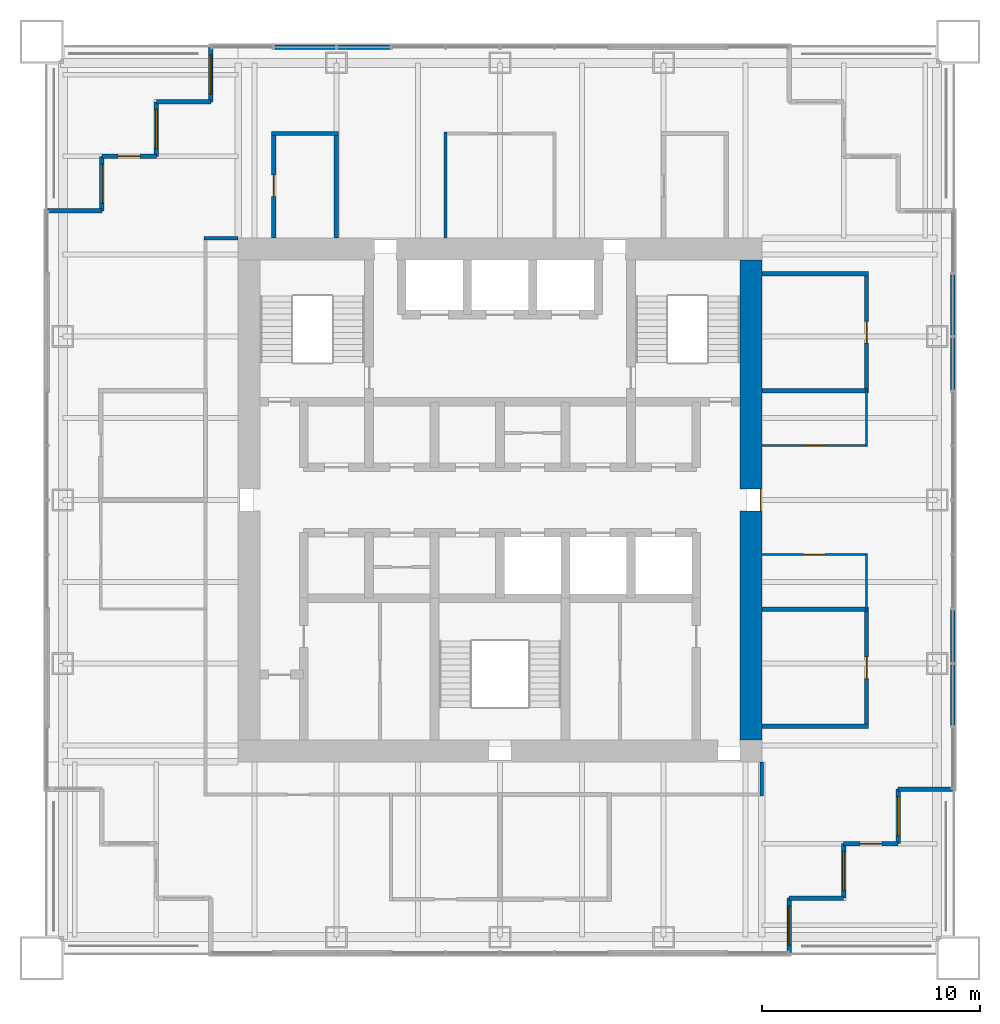
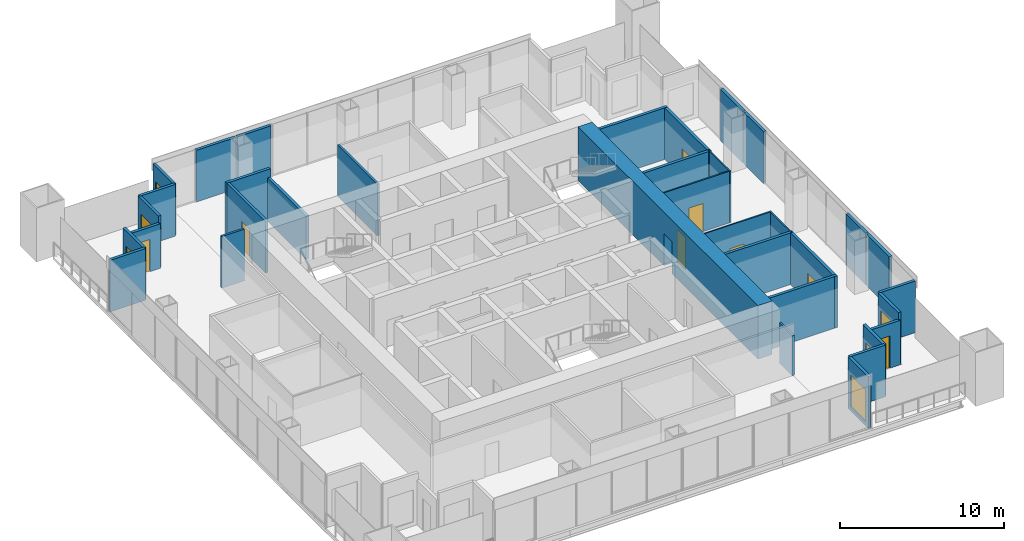
# One storey, part 11 of 14: 35 walls, 8 doors, 6 windows, 14 openings.
"""IFC4 building model written with IfcOpenShell, lengths in metres."""

import ifcopenshell
import ifcopenshell.guid

model = None  # the IFC model being written
_history = None  # IfcOwnerHistory: only IFC2X3 demands one
_inside = {}  # id of a spatial element -> (the spatial element, [elements in it])
_under = {}  # id of a project, library or spatial element -> (it, [spatial elements below it])
_declared = {}  # id of a project -> (the project, [libraries it declares])
_typed = {}  # id of a type object -> (the type object, [elements of that type])
_made_of = {}  # id of a material, layer set ... -> (it, [elements and type objects made of it])


def new_model(schema):
    """Start an empty IFC model of exactly this schema.

    Asked for "IFC4X3", IfcOpenShell would pick the latest addendum, in which some entities
    have other attributes; the version numbers below select the first issue.
    IFC2X3 requires an IfcOwnerHistory on every rooted entity: one is made here for all.
    """
    global model, _history
    if schema == "IFC4X3":
        model = ifcopenshell.file(schema_version=(4, 3, 0, 0))
    else:
        model = ifcopenshell.file(schema=schema)
    _inside.clear()
    _under.clear()
    _declared.clear()
    _typed.clear()
    _made_of.clear()
    _history = None
    if model.schema == "IFC2X3":
        org = make("IfcOrganization", Name="unknown")
        user = make(
            "IfcPersonAndOrganization",
            ThePerson=make("IfcPerson", FamilyName="unknown"),
            TheOrganization=org,
        )
        app = make(
            "IfcApplication",
            ApplicationDeveloper=org,
            Version="unknown",
            ApplicationFullName="unknown",
            ApplicationIdentifier="unknown",
        )
        _history = make(
            "IfcOwnerHistory",
            OwningUser=user,
            OwningApplication=app,
            ChangeAction="ADDED",
            CreationDate=0,
        )
    return model


def make(cls, **values):
    """One entity of the class cls with the attributes given. An attribute that is None is left unset."""
    return model.create_entity(
        cls, **{name: value for name, value in values.items() if value is not None}
    )


def rooted(cls, **values):
    """An entity with a GlobalId (a new one), such as an element, a storey or a relation."""
    return make(cls, GlobalId=ifcopenshell.guid.new(), OwnerHistory=_history, **values)


def si_unit(unit_type, name, prefix=None):
    """IfcSIUnit, for example si_unit("LENGTHUNIT", "METRE", prefix="MILLI")."""
    return make("IfcSIUnit", UnitType=unit_type, Prefix=prefix, Name=name)


def assignment(units):
    """IfcUnitAssignment: the units of a project."""
    return None if units is None else make("IfcUnitAssignment", Units=units)


def point(xyz):
    """IfcCartesianPoint."""
    return None if xyz is None else make("IfcCartesianPoint", Coordinates=xyz)


def direction(xyz):
    """IfcDirection."""
    return None if xyz is None else make("IfcDirection", DirectionRatios=xyz)


def frame(location, z_axis=None, x_axis=None):
    """IfcAxis2Placement3D, a coordinate frame: its origin and axes. An axis left out is left unset."""
    return make(
        "IfcAxis2Placement3D",
        Location=point(location),
        Axis=direction(z_axis),
        RefDirection=direction(x_axis),
    )


def frame_2d(location, x_axis=None):
    """IfcAxis2Placement2D, a coordinate frame in the plane: its origin and x axis."""
    return make(
        "IfcAxis2Placement2D", Location=point(location), RefDirection=direction(x_axis)
    )


def origin():
    """The frame at (0, 0, 0) with its axes left unset."""
    return frame((0.0, 0.0, 0.0))


def place(relative_to, where):
    """IfcLocalPlacement: puts the frame where relative to a parent placement (None: the world)."""
    return make(
        "IfcLocalPlacement", PlacementRelTo=relative_to, RelativePlacement=where
    )


def context(
    kind, dimensions, precision=None, world=None, true_north=None, identifier=None
):
    """IfcGeometricRepresentationContext, for example the 3D "Model" context."""
    return make(
        "IfcGeometricRepresentationContext",
        ContextIdentifier=identifier,
        ContextType=kind,
        CoordinateSpaceDimension=dimensions,
        Precision=precision,
        WorldCoordinateSystem=world,
        TrueNorth=true_north,
    )


def subcontext(parent, identifier, kind, view, scale=None):
    """IfcGeometricRepresentationSubContext, for example "Body" below "Model"."""
    return make(
        "IfcGeometricRepresentationSubContext",
        ContextIdentifier=identifier,
        ContextType=kind,
        ParentContext=parent,
        TargetScale=scale,
        TargetView=view,
    )


def project(units=None, contexts=None):
    """IfcProject with its units and contexts."""
    return rooted(
        "IfcProject",
        Name="project",
        RepresentationContexts=contexts,
        UnitsInContext=assignment(units),
    )


def spatial(cls, under=None, at=None, **own):
    """A site, building, storey or space (cls), placed at a placement, below another one or the project."""
    s = rooted(cls, ObjectPlacement=at, **own)
    if under is not None:
        _under.setdefault(under.id(), (under, []))[1].append(s)
    return s


def profile(cls, at=None, kind="AREA", **sizes):
    """A parametric profile (cls). Its sizes go by their IFC names, for example OverallWidth=200.0."""
    return make(cls, ProfileType=kind, Position=at, **sizes)


def rectangle(**sizes):
    """IfcRectangleProfileDef."""
    return profile("IfcRectangleProfileDef", **sizes)


def extrude(swept, where, along, depth):
    """IfcExtrudedAreaSolid: the profile swept, set in the frame where, extruded along a direction by depth."""
    return make(
        "IfcExtrudedAreaSolid",
        SweptArea=swept,
        Position=where,
        ExtrudedDirection=direction(along),
        Depth=depth,
    )


def shape(context_of_items, identifier, shape_type, items):
    """IfcShapeRepresentation: the items that make up one representation, for example the "Body"."""
    return make(
        "IfcShapeRepresentation",
        ContextOfItems=context_of_items,
        RepresentationIdentifier=identifier,
        RepresentationType=shape_type,
        Items=items,
    )


def material(Name=None, Category=None):
    """IfcMaterial."""
    return make("IfcMaterial", Name=Name, Category=Category)


def layer(
    of_material, thickness, ventilated=None, Name=None, Category=None, Priority=None
):
    """IfcMaterialLayer: one layer of a wall or slab, of a material (None: an air gap)."""
    return make(
        "IfcMaterialLayer",
        Material=of_material,
        LayerThickness=thickness,
        IsVentilated=ventilated,
        Name=Name,
        Category=Category,
        Priority=Priority,
    )


def layer_set(layers, Name=None):
    """IfcMaterialLayerSet."""
    return make("IfcMaterialLayerSet", MaterialLayers=layers, LayerSetName=Name)


def made_of(thing, what):
    """Note that an element or type object is made of a material, layer set ...; save() writes the relation."""
    if what is not None:
        _made_of.setdefault(what.id(), (what, []))[1].append(thing)
    return thing


def type_object(cls, material=None, **own):
    """A type object (cls), such as IfcWallType, which elements share."""
    return made_of(rooted(cls, **own), material)


def element(
    cls,
    number,
    at=None,
    inside=None,
    cuts=None,
    type_object=None,
    material=None,
    context=None,
    identifier="Body",
    shape_type=None,
    held_by="IfcProductDefinitionShape",
    body=None,
    shapes=None,
    **own,
):
    """One element of the class cls, such as IfcWall. Its Tag is "e" and its number.

    at: its placement. inside: the storey or other place that contains it. cuts: it is an
    opening in that element (IfcRelVoidsElement). A single representation is given by context,
    identifier, shape_type and body (its items); several are given by shapes. held_by: the class
    of the entity that holds the representations. save() writes the other relations.
    """
    e = rooted(cls, Tag="e%d" % number, ObjectPlacement=at, **own)
    if body is not None:
        shapes = [shape(context, identifier, shape_type, body)]
    if shapes is not None:
        e.Representation = make(held_by, Representations=shapes)
    if inside is not None:
        _inside.setdefault(inside.id(), (inside, []))[1].append(e)
    if cuts is not None:
        rooted(
            "IfcRelVoidsElement", RelatingBuildingElement=cuts, RelatedOpeningElement=e
        )
    if type_object is not None:
        _typed.setdefault(type_object.id(), (type_object, []))[1].append(e)
    return made_of(e, material)


def fill(opening, filler):
    """IfcRelFillsElement: the door or window that sits in an opening."""
    return rooted(
        "IfcRelFillsElement",
        RelatingOpeningElement=opening,
        RelatedBuildingElement=filler,
    )


def aggregate(whole, parts):
    """IfcRelAggregates: a whole, such as a stair, and the parts it consists of."""
    return rooted("IfcRelAggregates", RelatingObject=whole, RelatedObjects=parts)


def save(model, path):
    """Write the relations noted so far, then the file.

    IfcRelAggregates (storeys below a building ...), IfcRelContainedInSpatialStructure (elements
    in a storey), IfcRelDefinesByType, IfcRelAssociatesMaterial and IfcRelDeclares: one each for
    every whole, place, type object, material and project.
    """
    for whole, parts in _under.values():
        aggregate(whole, parts)
    for where, things in _inside.values():
        rooted(
            "IfcRelContainedInSpatialStructure",
            RelatedElements=things,
            RelatingStructure=where,
        )
    for kind, things in _typed.values():
        rooted("IfcRelDefinesByType", RelatedObjects=things, RelatingType=kind)
    for what, things in _made_of.values():
        rooted("IfcRelAssociatesMaterial", RelatedObjects=things, RelatingMaterial=what)
    for by, libraries in _declared.values():
        rooted("IfcRelDeclares", RelatingContext=by, RelatedDefinitions=libraries)
    model.write(path)


model = new_model("IFC4")

# Units and contexts
model_context = context("Model", 3, precision=1e-05, world=origin(), true_north=direction((0.0, 1.0)))
body_context = subcontext(model_context, "Body", "Model", "MODEL_VIEW")
ifc_project = project(units=[si_unit("LENGTHUNIT", "METRE"), si_unit("AREAUNIT", "SQUARE_METRE"), si_unit("VOLUMEUNIT", "CUBIC_METRE"), si_unit("PLANEANGLEUNIT", "RADIAN"), si_unit("MASSUNIT", "GRAM", prefix="KILO")], contexts=[model_context])

# Site, building, storey
site_placement = place(None, origin())
site = spatial("IfcSite", under=ifc_project, at=site_placement, CompositionType="ELEMENT")
building_placement = place(site_placement, origin())
building = spatial("IfcBuilding", under=site, at=building_placement, Name="Tarangal Relay Tower", CompositionType="ELEMENT")
storey_placement = place(building_placement, frame((0.0, 0.0, 307.89990234375)))
storey = spatial("IfcBuildingStorey", under=building, at=storey_placement, Name="L68", CompositionType="ELEMENT", Elevation=307.89990234375)

# Walls
ifc_material_1 = material(Name="Two layers gypsum board each side on twin steel studs, mineral wool", Category="steel")
ifc_layer_1 = layer(ifc_material_1, 0.199951171875)
ifc_layer_set_1 = layer_set([ifc_layer_1], Name="Acoustic partition 200")
wall_type_1 = type_object("IfcWallType", Name="Acoustic partition 200", PredefinedType="PARTITIONING", material=ifc_layer_set_1)
for number, where, z_axis, x_axis, name in (
    (1, (12.0, -10.375, 0.0), (0.0, 0.0, 1.0), (1.0, 0.0, 0.0), "Partition PT2 L68"),
    (2, (12.0, -5.0, 0.0), (0.0, 0.0, 1.0), (1.0, 0.0, 0.0), "Partition PT2 L68"),
    (3, (12.0, 5.0, 0.0), (0.0, 0.0, 1.0), (1.0, 0.0, 0.0), "Partition PT2 L68"),
    (4, (12.0, 10.375, 0.0), (0.0, 0.0, 1.0), (1.0, 0.0, 0.0), "Partition PT2 L68"),
):
    element("IfcWall", number, at=place(storey_placement, frame(where, z_axis=z_axis, x_axis=x_axis)), inside=storey, type_object=wall_type_1, Name=name, PredefinedType="PARTITIONING", context=body_context, shape_type="SweptSolid", body=[
        extrude(rectangle(XDim=4.89990234375, YDim=0.199951171875, at=frame_2d((2.449951171875, 0.0))), origin(), (0.0, 0.0, 1.0), 3.85009765625),
    ])
wall_1_placement = place(storey_placement, frame((-10.47509765625, 16.800048828125, 0.0), z_axis=(0.0, 0.0, 1.0), x_axis=(1.0, 0.0, 0.0)))
element("IfcWall", 5, at=wall_1_placement, inside=storey, type_object=wall_type_1, Name="Partition PT2 L68", PredefinedType="PARTITIONING", context=body_context, shape_type="SweptSolid", body=[
    extrude(rectangle(XDim=3.0751953125, YDim=0.199951171875, at=frame_2d((1.53759765625, 0.0))), origin(), (0.0, 0.0, 1.0), 3.85009765625),
])

# Wall, opening, door
wall_2_placement = place(storey_placement, frame((-10.375, 12.0, 0.0), z_axis=(0.0, 0.0, 1.0), x_axis=(0.0, 1.0, 0.0)))
wall_2 = element("IfcWall", 6, at=wall_2_placement, inside=storey, type_object=wall_type_1, Name="Partition PT2 L68", PredefinedType="PARTITIONING", context=body_context, shape_type="SweptSolid", body=[
    extrude(rectangle(XDim=4.89990234375, YDim=0.199951171875, at=frame_2d((2.449951171875, 0.0))), origin(), (0.0, 0.0, 1.0), 3.85009765625),
])
opening_1_placement = place(wall_2_placement, frame((1.89990234375, 0.0, 0.0)))
opening_1 = element("IfcOpeningElement", 7, at=opening_1_placement, cuts=wall_2, Name="Opening D2", PredefinedType="OPENING", context=body_context, shape_type="SweptSolid", body=[
    extrude(rectangle(XDim=1.0, YDim=2.10009765625, at=frame_2d((0.5, 1.050048828125))), frame((0.0, 0.10986328125, 0.0), z_axis=(0.0, -1.0, 0.0), x_axis=(1.0, 0.0, 0.0)), (0.0, 0.0, 1.0), 0.219970703125),
])
ifc_material_2 = material(Name="Hardwood door", Category="wood")
door_type_1 = type_object("IfcDoorType", Name="Door 1000 x 2100", OperationType="SINGLE_SWING_LEFT", PredefinedType="DOOR", material=ifc_material_2)
door_1_placement = place(opening_1_placement, origin())
door_1 = element("IfcDoor", 8, at=door_1_placement, inside=storey, type_object=door_type_1, Name="Door D2 to phone room L68-02", OperationType="SINGLE_SWING_LEFT", OverallHeight=2.10009765625, OverallWidth=1.0, PredefinedType="DOOR", context=body_context, shape_type="SweptSolid", body=[
    extrude(rectangle(XDim=1.0, YDim=2.10009765625, at=frame_2d((0.5, 1.050048828125))), frame((0.0, 0.02490234375, 0.0), z_axis=(0.0, -1.0, 0.0), x_axis=(1.0, 0.0, 0.0)), (0.0, 0.0, 1.0), 0.050048828125),
])
fill(opening_1, door_1)

# Wall
wall_3_placement = place(storey_placement, frame((-7.5, 12.0, 0.0), z_axis=(0.0, 0.0, 1.0), x_axis=(0.0, 1.0, 0.0)))
element("IfcWall", 9, at=wall_3_placement, inside=storey, type_object=wall_type_1, Name="Partition PT2 L68", PredefinedType="PARTITIONING", context=body_context, shape_type="SweptSolid", body=[
    extrude(rectangle(XDim=4.89990234375, YDim=0.199951171875, at=frame_2d((2.449951171875, 0.0))), origin(), (0.0, 0.0, 1.0), 3.2431640625),
])

# Wall, opening, door
wall_4_placement = place(storey_placement, frame((16.800048828125, -10.47509765625, 0.0), z_axis=(0.0, 0.0, 1.0), x_axis=(0.0, 1.0, 0.0)))
wall_4 = element("IfcWall", 10, at=wall_4_placement, inside=storey, type_object=wall_type_1, Name="Partition PT2 L68", PredefinedType="PARTITIONING", context=body_context, shape_type="SweptSolid", body=[
    extrude(rectangle(XDim=5.5751953125, YDim=0.199951171875, at=frame_2d((2.78759765625, 0.0))), origin(), (0.0, 0.0, 1.0), 3.85009765625),
])
opening_2_placement = place(wall_4_placement, frame((2.28759765625, 0.0, 0.0)))
opening_2 = element("IfcOpeningElement", 11, at=opening_2_placement, cuts=wall_4, Name="Opening D2", PredefinedType="OPENING", context=body_context, shape_type="SweptSolid", body=[
    extrude(rectangle(XDim=1.0, YDim=2.10009765625, at=frame_2d((0.5, 1.050048828125))), frame((0.0, 0.10986328125, 0.0), z_axis=(0.0, -1.0, 0.0), x_axis=(1.0, 0.0, 0.0)), (0.0, 0.0, 1.0), 0.219970703125),
])
door_2_placement = place(opening_2_placement, origin())
door_2 = element("IfcDoor", 12, at=door_2_placement, inside=storey, type_object=door_type_1, Name="Door D2 to meeting room L68-08", OperationType="SINGLE_SWING_LEFT", OverallHeight=2.10009765625, OverallWidth=1.0, PredefinedType="DOOR", context=body_context, shape_type="SweptSolid", body=[
    extrude(rectangle(XDim=1.0, YDim=2.10009765625, at=frame_2d((0.5, 1.050048828125))), frame((0.0, 0.02490234375, 0.0), z_axis=(0.0, -1.0, 0.0), x_axis=(1.0, 0.0, 0.0)), (0.0, 0.0, 1.0), 0.050048828125),
])
fill(opening_2, door_2)

wall_5_placement = place(storey_placement, frame((16.800048828125, 4.89990234375, 0.0), z_axis=(0.0, 0.0, 1.0), x_axis=(0.0, 1.0, 0.0)))
wall_5 = element("IfcWall", 13, at=wall_5_placement, inside=storey, type_object=wall_type_1, Name="Partition PT2 L68", PredefinedType="PARTITIONING", context=body_context, shape_type="SweptSolid", body=[
    extrude(rectangle(XDim=5.5751953125, YDim=0.199951171875, at=frame_2d((2.78759765625, 0.0))), origin(), (0.0, 0.0, 1.0), 3.85009765625),
])
opening_3_placement = place(wall_5_placement, frame((2.28759765625, 0.0, 0.0)))
opening_3 = element("IfcOpeningElement", 14, at=opening_3_placement, cuts=wall_5, Name="Opening D2", PredefinedType="OPENING", context=body_context, shape_type="SweptSolid", body=[
    extrude(rectangle(XDim=1.0, YDim=2.10009765625, at=frame_2d((0.5, 1.050048828125))), frame((0.0, 0.10986328125, 0.0), z_axis=(0.0, -1.0, 0.0), x_axis=(1.0, 0.0, 0.0)), (0.0, 0.0, 1.0), 0.219970703125),
])
door_3_placement = place(opening_3_placement, origin())
door_3 = element("IfcDoor", 15, at=door_3_placement, inside=storey, type_object=door_type_1, Name="Door D2 to meeting room L68-05", OperationType="SINGLE_SWING_LEFT", OverallHeight=2.10009765625, OverallWidth=1.0, PredefinedType="DOOR", context=body_context, shape_type="SweptSolid", body=[
    extrude(rectangle(XDim=1.0, YDim=2.10009765625, at=frame_2d((0.5, 1.050048828125))), frame((0.0, 0.02490234375, 0.0), z_axis=(0.0, -1.0, 0.0), x_axis=(1.0, 0.0, 0.0)), (0.0, 0.0, 1.0), 0.050048828125),
])
fill(opening_3, door_3)

ifc_material_3 = material(Name="Concrete fc' 60 MPa", Category="concrete")
ifc_layer_2 = layer(ifc_material_3, 1.0)
ifc_layer_set_2 = layer_set([ifc_layer_2], Name="Core wall 1000")
wall_type_2 = type_object("IfcWallType", Name="Core wall 1000", PredefinedType="SHEAR", material=ifc_layer_set_2)
wall_6_placement = place(storey_placement, frame((11.5, 11.0, 0.0), z_axis=(0.0, 0.0, 1.0), x_axis=(0.0, -1.0, 0.0)))
wall_6 = element("IfcWall", 16, at=wall_6_placement, inside=storey, type_object=wall_type_2, Name="Core wall E L68", PredefinedType="SHEAR", context=body_context, shape_type="SweptSolid", body=[
    extrude(rectangle(XDim=22.0, YDim=1.0, at=frame_2d((11.0, 0.0))), origin(), (0.0, 0.0, 1.0), 4.0),
])
opening_4_placement = place(wall_6_placement, frame((10.5, 0.0, 0.0)))
opening_4 = element("IfcOpeningElement", 17, at=opening_4_placement, cuts=wall_6, Name="Opening FD3", PredefinedType="OPENING", context=body_context, shape_type="SweptSolid", body=[
    extrude(rectangle(XDim=1.0, YDim=2.39990234375, at=frame_2d((0.5, 1.199951171875))), frame((0.0, 0.510009765625, 0.0), z_axis=(0.0, -1.0, 0.0), x_axis=(1.0, 0.0, 0.0)), (0.0, 0.0, 1.0), 1.02001953125),
])
ifc_material_4 = material(Name="Steel door with hardwood frame", Category="steel")
door_type_2 = type_object("IfcDoorType", Name="Fire door 1000 x 2400 core entry", OperationType="SINGLE_SWING_RIGHT", PredefinedType="DOOR", material=ifc_material_4)
door_4_placement = place(opening_4_placement, origin())
door_4 = element("IfcDoor", 18, at=door_4_placement, inside=storey, type_object=door_type_2, Name="Core entry door east L68", OperationType="SINGLE_SWING_RIGHT", OverallHeight=2.39990234375, OverallWidth=1.0, PredefinedType="DOOR", context=body_context, shape_type="SweptSolid", body=[
    extrude(rectangle(XDim=1.0, YDim=2.39990234375, at=frame_2d((0.5, 1.199951171875))), frame((0.0, 0.48486328125, 0.0), z_axis=(0.0, -1.0, 0.0), x_axis=(1.0, 0.0, 0.0)), (0.0, 0.0, 1.0), 0.050048828125),
])
fill(opening_4, door_4)

# Wall
ifc_material_5 = material(Name="Black metal clad insulated wall", Category="steel")
ifc_layer_3 = layer(ifc_material_5, 0.199951171875)
ifc_layer_set_3 = layer_set([ifc_layer_3], Name="Corner wall metal clad 200")
wall_type_3 = type_object("IfcWallType", Name="Corner wall metal clad 200", PredefinedType="SOLIDWALL", material=ifc_layer_set_3)
wall_7_placement = place(storey_placement, frame((20.75, -13.25, 0.0), z_axis=(0.0, 0.0, 1.0), x_axis=(-1.0, 0.0, 0.0)))
element("IfcWall", 19, at=wall_7_placement, inside=storey, type_object=wall_type_3, Name="Facade wall E facade L68", PredefinedType="SOLIDWALL", context=body_context, shape_type="SweptSolid", body=[
    extrude(rectangle(XDim=2.5, YDim=0.199951171875, at=frame_2d((1.25, 0.0))), origin(), (0.0, 0.0, 1.0), 3.85009765625),
])

# Wall, opening, window
wall_8_placement = place(storey_placement, frame((18.25, -13.25, 0.0), z_axis=(0.0, 0.0, 1.0), x_axis=(0.0, -1.0, 0.0)))
wall_8 = element("IfcWall", 20, at=wall_8_placement, inside=storey, type_object=wall_type_3, Name="Facade wall E facade L68", PredefinedType="SOLIDWALL", context=body_context, shape_type="SweptSolid", body=[
    extrude(rectangle(XDim=2.5, YDim=0.199951171875, at=frame_2d((1.25, 0.0))), origin(), (0.0, 0.0, 1.0), 3.85009765625),
])
opening_5_placement = place(wall_8_placement, frame((0.35009765625, 0.0, 0.300048828125)))
opening_5 = element("IfcOpeningElement", 21, at=opening_5_placement, cuts=wall_8, Name="Opening WN2", PredefinedType="OPENING", context=body_context, shape_type="SweptSolid", body=[
    extrude(rectangle(XDim=1.800048828125, YDim=2.39990234375, at=frame_2d((0.89990234375, 1.199951171875))), frame((0.0, 0.10986328125, 0.0), z_axis=(0.0, -1.0, 0.0), x_axis=(1.0, 0.0, 0.0)), (0.0, 0.0, 1.0), 0.219970703125),
])
ifc_material_6 = material(Name="Dark tinted double glazing in black aluminium frame", Category="aluminium")
window_type = type_object("IfcWindowType", Name="Corner window 1800 x 2400", PartitioningType="SINGLE_PANEL", PredefinedType="WINDOW", material=ifc_material_6)
window_1_placement = place(opening_5_placement, origin())
window_1 = element("IfcWindow", 22, at=window_1_placement, inside=storey, type_object=window_type, Name="Corner window WN2 E facade L68", OverallHeight=2.39990234375, OverallWidth=1.800048828125, PartitioningType="SINGLE_PANEL", PredefinedType="WINDOW", context=body_context, shape_type="SweptSolid", body=[
    extrude(rectangle(XDim=1.800048828125, YDim=2.39990234375, at=frame_2d((0.89990234375, 1.199951171875))), frame((0.0, 0.030029296875, 0.0), z_axis=(0.0, -1.0, 0.0), x_axis=(1.0, 0.0, 0.0)), (0.0, 0.0, 1.0), 0.06005859375),
])
fill(opening_5, window_1)

# Wall, opening, door
wall_9_placement = place(storey_placement, frame((18.25, -15.75, 0.0), z_axis=(0.0, 0.0, 1.0), x_axis=(-1.0, 0.0, 0.0)))
wall_9 = element("IfcWall", 23, at=wall_9_placement, inside=storey, type_object=wall_type_3, Name="Facade wall E facade L68", PredefinedType="SOLIDWALL", context=body_context, shape_type="SweptSolid", body=[
    extrude(rectangle(XDim=2.5, YDim=0.199951171875, at=frame_2d((1.25, 0.0))), origin(), (0.0, 0.0, 1.0), 3.316650390625),
])
opening_6_placement = place(wall_9_placement, frame((0.75, 0.0, 0.0)))
opening_6 = element("IfcOpeningElement", 24, at=opening_6_placement, cuts=wall_9, Name="Opening TD1", PredefinedType="OPENING", context=body_context, shape_type="SweptSolid", body=[
    extrude(rectangle(XDim=1.0, YDim=2.39990234375, at=frame_2d((0.5, 1.199951171875))), frame((0.0, 0.10986328125, 0.0), z_axis=(0.0, -1.0, 0.0), x_axis=(1.0, 0.0, 0.0)), (0.0, 0.0, 1.0), 0.219970703125),
])
ifc_material_7 = material(Name="Aluminium glazed door", Category="aluminium")
door_type_3 = type_object("IfcDoorType", Name="Terrace door 1000 x 2400", OperationType="SINGLE_SWING_RIGHT", PredefinedType="DOOR", material=ifc_material_7)
door_5_placement = place(opening_6_placement, origin())
door_5 = element("IfcDoor", 25, at=door_5_placement, inside=storey, type_object=door_type_3, Name="Terrace door TD1 SE L68", OperationType="SINGLE_SWING_RIGHT", OverallHeight=2.39990234375, OverallWidth=1.0, PredefinedType="DOOR", context=body_context, shape_type="SweptSolid", body=[
    extrude(rectangle(XDim=1.0, YDim=2.39990234375, at=frame_2d((0.5, 1.199951171875))), frame((0.0, 0.02490234375, 0.0), z_axis=(0.0, -1.0, 0.0), x_axis=(1.0, 0.0, 0.0)), (0.0, 0.0, 1.0), 0.050048828125),
])
fill(opening_6, door_5)

# Wall, opening, window
wall_10_placement = place(storey_placement, frame((15.75, -15.75, 0.0), z_axis=(0.0, 0.0, 1.0), x_axis=(0.0, -1.0, 0.0)))
wall_10 = element("IfcWall", 26, at=wall_10_placement, inside=storey, type_object=wall_type_3, Name="Facade wall E facade L68", PredefinedType="SOLIDWALL", context=body_context, shape_type="SweptSolid", body=[
    extrude(rectangle(XDim=2.5, YDim=0.199951171875, at=frame_2d((1.25, 0.0))), origin(), (0.0, 0.0, 1.0), 3.85009765625),
])
opening_7_placement = place(wall_10_placement, frame((0.35009765625, 0.0, 0.300048828125)))
opening_7 = element("IfcOpeningElement", 27, at=opening_7_placement, cuts=wall_10, Name="Opening WN2", PredefinedType="OPENING", context=body_context, shape_type="SweptSolid", body=[
    extrude(rectangle(XDim=1.800048828125, YDim=2.39990234375, at=frame_2d((0.89990234375, 1.199951171875))), frame((0.0, 0.10986328125, 0.0), z_axis=(0.0, -1.0, 0.0), x_axis=(1.0, 0.0, 0.0)), (0.0, 0.0, 1.0), 0.219970703125),
])
window_2_placement = place(opening_7_placement, origin())
window_2 = element("IfcWindow", 28, at=window_2_placement, inside=storey, type_object=window_type, Name="Corner window WN2 E facade L68", OverallHeight=2.39990234375, OverallWidth=1.800048828125, PartitioningType="SINGLE_PANEL", PredefinedType="WINDOW", context=body_context, shape_type="SweptSolid", body=[
    extrude(rectangle(XDim=1.800048828125, YDim=2.39990234375, at=frame_2d((0.89990234375, 1.199951171875))), frame((0.0, 0.030029296875, 0.0), z_axis=(0.0, -1.0, 0.0), x_axis=(1.0, 0.0, 0.0)), (0.0, 0.0, 1.0), 0.06005859375),
])
fill(opening_7, window_2)

# Wall
wall_11_placement = place(storey_placement, frame((15.75, -18.25, 0.0), z_axis=(0.0, 0.0, 1.0), x_axis=(-1.0, 0.0, 0.0)))
element("IfcWall", 29, at=wall_11_placement, inside=storey, type_object=wall_type_3, Name="Facade wall E facade L68", PredefinedType="SOLIDWALL", context=body_context, shape_type="SweptSolid", body=[
    extrude(rectangle(XDim=2.5, YDim=0.199951171875, at=frame_2d((1.25, 0.0))), origin(), (0.0, 0.0, 1.0), 3.85009765625),
])

# Wall, opening, window
wall_12_placement = place(storey_placement, frame((13.25, -18.25, 0.0), z_axis=(0.0, 0.0, 1.0), x_axis=(0.0, -1.0, 0.0)))
wall_12 = element("IfcWall", 30, at=wall_12_placement, inside=storey, type_object=wall_type_3, Name="Facade wall E facade L68", PredefinedType="SOLIDWALL", context=body_context, shape_type="SweptSolid", body=[
    extrude(rectangle(XDim=2.5, YDim=0.199951171875, at=frame_2d((1.25, 0.0))), origin(), (0.0, 0.0, 1.0), 3.85009765625),
])
opening_8_placement = place(wall_12_placement, frame((0.35009765625, 0.0, 0.300048828125)))
opening_8 = element("IfcOpeningElement", 31, at=opening_8_placement, cuts=wall_12, Name="Opening WN2", PredefinedType="OPENING", context=body_context, shape_type="SweptSolid", body=[
    extrude(rectangle(XDim=1.800048828125, YDim=2.39990234375, at=frame_2d((0.89990234375, 1.199951171875))), frame((0.0, 0.10986328125, 0.0), z_axis=(0.0, -1.0, 0.0), x_axis=(1.0, 0.0, 0.0)), (0.0, 0.0, 1.0), 0.219970703125),
])
window_3_placement = place(opening_8_placement, origin())
window_3 = element("IfcWindow", 32, at=window_3_placement, inside=storey, type_object=window_type, Name="Corner window WN2 E facade L68", OverallHeight=2.39990234375, OverallWidth=1.800048828125, PartitioningType="SINGLE_PANEL", PredefinedType="WINDOW", context=body_context, shape_type="SweptSolid", body=[
    extrude(rectangle(XDim=1.800048828125, YDim=2.39990234375, at=frame_2d((0.89990234375, 1.199951171875))), frame((0.0, 0.030029296875, 0.0), z_axis=(0.0, -1.0, 0.0), x_axis=(1.0, 0.0, 0.0)), (0.0, 0.0, 1.0), 0.06005859375),
])
fill(opening_8, window_3)

# Wall
wall_13_placement = place(storey_placement, frame((-20.75, 13.25, 0.0), z_axis=(0.0, 0.0, 1.0), x_axis=(1.0, 0.0, 0.0)))
element("IfcWall", 33, at=wall_13_placement, inside=storey, type_object=wall_type_3, Name="Facade wall W facade L68", PredefinedType="SOLIDWALL", context=body_context, shape_type="SweptSolid", body=[
    extrude(rectangle(XDim=2.5, YDim=0.199951171875, at=frame_2d((1.25, 0.0))), origin(), (0.0, 0.0, 1.0), 3.85009765625),
])

# Wall, opening, window
wall_14_placement = place(storey_placement, frame((-18.25, 13.25, 0.0), z_axis=(0.0, 0.0, 1.0), x_axis=(0.0, 1.0, 0.0)))
wall_14 = element("IfcWall", 34, at=wall_14_placement, inside=storey, type_object=wall_type_3, Name="Facade wall W facade L68", PredefinedType="SOLIDWALL", context=body_context, shape_type="SweptSolid", body=[
    extrude(rectangle(XDim=2.5, YDim=0.199951171875, at=frame_2d((1.25, 0.0))), origin(), (0.0, 0.0, 1.0), 3.85009765625),
])
opening_9_placement = place(wall_14_placement, frame((0.35009765625, 0.0, 0.300048828125)))
opening_9 = element("IfcOpeningElement", 35, at=opening_9_placement, cuts=wall_14, Name="Opening WN2", PredefinedType="OPENING", context=body_context, shape_type="SweptSolid", body=[
    extrude(rectangle(XDim=1.800048828125, YDim=2.39990234375, at=frame_2d((0.89990234375, 1.199951171875))), frame((0.0, 0.10986328125, 0.0), z_axis=(0.0, -1.0, 0.0), x_axis=(1.0, 0.0, 0.0)), (0.0, 0.0, 1.0), 0.219970703125),
])
window_4_placement = place(opening_9_placement, origin())
window_4 = element("IfcWindow", 36, at=window_4_placement, inside=storey, type_object=window_type, Name="Corner window WN2 W facade L68", OverallHeight=2.39990234375, OverallWidth=1.800048828125, PartitioningType="SINGLE_PANEL", PredefinedType="WINDOW", context=body_context, shape_type="SweptSolid", body=[
    extrude(rectangle(XDim=1.800048828125, YDim=2.39990234375, at=frame_2d((0.89990234375, 1.199951171875))), frame((0.0, 0.030029296875, 0.0), z_axis=(0.0, -1.0, 0.0), x_axis=(1.0, 0.0, 0.0)), (0.0, 0.0, 1.0), 0.06005859375),
])
fill(opening_9, window_4)

# Wall, opening, door
wall_15_placement = place(storey_placement, frame((-18.25, 15.75, 0.0), z_axis=(0.0, 0.0, 1.0), x_axis=(1.0, 0.0, 0.0)))
wall_15 = element("IfcWall", 37, at=wall_15_placement, inside=storey, type_object=wall_type_3, Name="Facade wall W facade L68", PredefinedType="SOLIDWALL", context=body_context, shape_type="SweptSolid", body=[
    extrude(rectangle(XDim=2.5, YDim=0.199951171875, at=frame_2d((1.25, 0.0))), origin(), (0.0, 0.0, 1.0), 3.316650390625),
])
opening_10_placement = place(wall_15_placement, frame((0.75, 0.0, 0.0)))
opening_10 = element("IfcOpeningElement", 38, at=opening_10_placement, cuts=wall_15, Name="Opening TD1", PredefinedType="OPENING", context=body_context, shape_type="SweptSolid", body=[
    extrude(rectangle(XDim=1.0, YDim=2.39990234375, at=frame_2d((0.5, 1.199951171875))), frame((0.0, 0.10986328125, 0.0), z_axis=(0.0, -1.0, 0.0), x_axis=(1.0, 0.0, 0.0)), (0.0, 0.0, 1.0), 0.219970703125),
])
door_6_placement = place(opening_10_placement, origin())
door_6 = element("IfcDoor", 39, at=door_6_placement, inside=storey, type_object=door_type_3, Name="Terrace door TD1 NW L68", OperationType="SINGLE_SWING_RIGHT", OverallHeight=2.39990234375, OverallWidth=1.0, PredefinedType="DOOR", context=body_context, shape_type="SweptSolid", body=[
    extrude(rectangle(XDim=1.0, YDim=2.39990234375, at=frame_2d((0.5, 1.199951171875))), frame((0.0, 0.02490234375, 0.0), z_axis=(0.0, -1.0, 0.0), x_axis=(1.0, 0.0, 0.0)), (0.0, 0.0, 1.0), 0.050048828125),
])
fill(opening_10, door_6)

# Wall, opening, window
wall_16_placement = place(storey_placement, frame((-15.75, 15.75, 0.0), z_axis=(0.0, 0.0, 1.0), x_axis=(0.0, 1.0, 0.0)))
wall_16 = element("IfcWall", 40, at=wall_16_placement, inside=storey, type_object=wall_type_3, Name="Facade wall W facade L68", PredefinedType="SOLIDWALL", context=body_context, shape_type="SweptSolid", body=[
    extrude(rectangle(XDim=2.5, YDim=0.199951171875, at=frame_2d((1.25, 0.0))), origin(), (0.0, 0.0, 1.0), 3.85009765625),
])
opening_11_placement = place(wall_16_placement, frame((0.35009765625, 0.0, 0.300048828125)))
opening_11 = element("IfcOpeningElement", 41, at=opening_11_placement, cuts=wall_16, Name="Opening WN2", PredefinedType="OPENING", context=body_context, shape_type="SweptSolid", body=[
    extrude(rectangle(XDim=1.800048828125, YDim=2.39990234375, at=frame_2d((0.89990234375, 1.199951171875))), frame((0.0, 0.10986328125, 0.0), z_axis=(0.0, -1.0, 0.0), x_axis=(1.0, 0.0, 0.0)), (0.0, 0.0, 1.0), 0.219970703125),
])
window_5_placement = place(opening_11_placement, origin())
window_5 = element("IfcWindow", 42, at=window_5_placement, inside=storey, type_object=window_type, Name="Corner window WN2 W facade L68", OverallHeight=2.39990234375, OverallWidth=1.800048828125, PartitioningType="SINGLE_PANEL", PredefinedType="WINDOW", context=body_context, shape_type="SweptSolid", body=[
    extrude(rectangle(XDim=1.800048828125, YDim=2.39990234375, at=frame_2d((0.89990234375, 1.199951171875))), frame((0.0, 0.030029296875, 0.0), z_axis=(0.0, -1.0, 0.0), x_axis=(1.0, 0.0, 0.0)), (0.0, 0.0, 1.0), 0.06005859375),
])
fill(opening_11, window_5)

# Wall
wall_17_placement = place(storey_placement, frame((-15.75, 18.25, 0.0), z_axis=(0.0, 0.0, 1.0), x_axis=(1.0, 0.0, 0.0)))
element("IfcWall", 43, at=wall_17_placement, inside=storey, type_object=wall_type_3, Name="Facade wall W facade L68", PredefinedType="SOLIDWALL", context=body_context, shape_type="SweptSolid", body=[
    extrude(rectangle(XDim=2.5, YDim=0.199951171875, at=frame_2d((1.25, 0.0))), origin(), (0.0, 0.0, 1.0), 3.85009765625),
])

# Wall, opening, window
wall_18_placement = place(storey_placement, frame((-13.25, 18.25, 0.0), z_axis=(0.0, 0.0, 1.0), x_axis=(0.0, 1.0, 0.0)))
wall_18 = element("IfcWall", 44, at=wall_18_placement, inside=storey, type_object=wall_type_3, Name="Facade wall W facade L68", PredefinedType="SOLIDWALL", context=body_context, shape_type="SweptSolid", body=[
    extrude(rectangle(XDim=2.5, YDim=0.199951171875, at=frame_2d((1.25, 0.0))), origin(), (0.0, 0.0, 1.0), 3.85009765625),
])
opening_12_placement = place(wall_18_placement, frame((0.35009765625, 0.0, 0.300048828125)))
opening_12 = element("IfcOpeningElement", 45, at=opening_12_placement, cuts=wall_18, Name="Opening WN2", PredefinedType="OPENING", context=body_context, shape_type="SweptSolid", body=[
    extrude(rectangle(XDim=1.800048828125, YDim=2.39990234375, at=frame_2d((0.89990234375, 1.199951171875))), frame((0.0, 0.10986328125, 0.0), z_axis=(0.0, -1.0, 0.0), x_axis=(1.0, 0.0, 0.0)), (0.0, 0.0, 1.0), 0.219970703125),
])
window_6_placement = place(opening_12_placement, origin())
window_6 = element("IfcWindow", 46, at=window_6_placement, inside=storey, type_object=window_type, Name="Corner window WN2 W facade L68", OverallHeight=2.39990234375, OverallWidth=1.800048828125, PartitioningType="SINGLE_PANEL", PredefinedType="WINDOW", context=body_context, shape_type="SweptSolid", body=[
    extrude(rectangle(XDim=1.800048828125, YDim=2.39990234375, at=frame_2d((0.89990234375, 1.199951171875))), frame((0.0, 0.030029296875, 0.0), z_axis=(0.0, -1.0, 0.0), x_axis=(1.0, 0.0, 0.0)), (0.0, 0.0, 1.0), 0.06005859375),
])
fill(opening_12, window_6)

# Walls
ifc_layer_4 = layer(ifc_material_5, 0.199951171875)
ifc_layer_set_4 = layer_set([ifc_layer_4], Name="Facade infill wall metal clad 200")
wall_type_4 = type_object("IfcWallType", Name="Facade infill wall metal clad 200", PredefinedType="SOLIDWALL", material=ifc_layer_set_4)
wall_19_placement = place(storey_placement, frame((-10.31494140625, 20.75, 0.0), z_axis=(0.0, 0.0, 1.0), x_axis=(1.0, 0.0, 0.0)))
element("IfcWall", 47, at=wall_19_placement, inside=storey, type_object=wall_type_4, Name="Facade infill wall N facade L68 1.1", PredefinedType="SOLIDWALL", context=body_context, shape_type="SweptSolid", body=[
    extrude(rectangle(XDim=2.7548828125, YDim=0.199951171875, at=frame_2d((1.37744140625, 0.0))), origin(), (0.0, 0.0, 1.0), 3.85009765625),
])
wall_20_placement = place(storey_placement, frame((-7.43994140625, 20.75, 0.0), z_axis=(0.0, 0.0, 1.0), x_axis=(1.0, 0.0, 0.0)))
element("IfcWall", 48, at=wall_20_placement, inside=storey, type_object=wall_type_4, Name="Facade infill wall N facade L68 1.1", PredefinedType="SOLIDWALL", context=body_context, shape_type="SweptSolid", body=[
    extrude(rectangle(XDim=2.3798828125, YDim=0.199951171875, at=frame_2d((1.18994140625, 0.0))), origin(), (0.0, 0.0, 1.0), 3.85009765625),
])
wall_21_placement = place(storey_placement, frame((20.75, 10.31494140625, 0.0), z_axis=(0.0, 0.0, 1.0), x_axis=(0.0, -1.0, 0.0)))
element("IfcWall", 49, at=wall_21_placement, inside=storey, type_object=wall_type_4, Name="Facade infill wall E facade L68 1.1", PredefinedType="SOLIDWALL", context=body_context, shape_type="SweptSolid", body=[
    extrude(rectangle(XDim=2.7548828125, YDim=0.199951171875, at=frame_2d((1.37744140625, 0.0))), origin(), (0.0, 0.0, 1.0), 3.85009765625),
])
for number, where, z_axis, x_axis, name in (
    (50, (20.75, 7.43994140625, 0.0), (0.0, 0.0, 1.0), (0.0, -1.0, 0.0), "Facade infill wall E facade L68 1.1"),
    (51, (20.75, -5.06005859375, 0.0), (0.0, 0.0, 1.0), (0.0, -1.0, 0.0), "Facade infill wall E facade L68 1.1"),
):
    element("IfcWall", number, at=place(storey_placement, frame(where, z_axis=z_axis, x_axis=x_axis)), inside=storey, type_object=wall_type_4, Name=name, PredefinedType="SOLIDWALL", context=body_context, shape_type="SweptSolid", body=[
        extrude(rectangle(XDim=2.3798828125, YDim=0.199951171875, at=frame_2d((1.18994140625, 0.0))), origin(), (0.0, 0.0, 1.0), 3.85009765625),
    ])
wall_22_placement = place(storey_placement, frame((20.75, -7.56005859375, 0.0), z_axis=(0.0, 0.0, 1.0), x_axis=(0.0, -1.0, 0.0)))
element("IfcWall", 52, at=wall_22_placement, inside=storey, type_object=wall_type_4, Name="Facade infill wall E facade L68 1.1", PredefinedType="SOLIDWALL", context=body_context, shape_type="SweptSolid", body=[
    extrude(rectangle(XDim=2.7548828125, YDim=0.199951171875, at=frame_2d((1.37744140625, 0.0))), origin(), (0.0, 0.0, 1.0), 3.85009765625),
])

# Wall, opening, door
ifc_material_8 = material(Name="Double glazed aluminium framed partition", Category="aluminium")
ifc_layer_5 = layer(ifc_material_8, 0.10009765625)
ifc_layer_set_5 = layer_set([ifc_layer_5], Name="Glazed partition 100")
wall_type_5 = type_object("IfcWallType", Name="Glazed partition 100", PredefinedType="PARTITIONING", material=ifc_layer_set_5)
wall_23_placement = place(storey_placement, frame((12.0, -2.5, 0.0), z_axis=(0.0, 0.0, 1.0), x_axis=(1.0, 0.0, 0.0)))
wall_23 = element("IfcWall", 53, at=wall_23_placement, inside=storey, type_object=wall_type_5, Name="Partition PT3 L68", PredefinedType="PARTITIONING", context=body_context, shape_type="SweptSolid", body=[
    extrude(rectangle(XDim=4.85009765625, YDim=0.10009765625, at=frame_2d((2.425048828125, 0.0))), origin(), (0.0, 0.0, 1.0), 3.85009765625),
])
opening_13_placement = place(wall_23_placement, frame((1.89990234375, 0.0, 0.0)))
opening_13 = element("IfcOpeningElement", 54, at=opening_13_placement, cuts=wall_23, Name="Opening D3", PredefinedType="OPENING", context=body_context, shape_type="SweptSolid", body=[
    extrude(rectangle(XDim=1.0, YDim=2.10009765625, at=frame_2d((0.5, 1.050048828125))), frame((0.0, 0.06005859375, 0.0), z_axis=(0.0, -1.0, 0.0), x_axis=(1.0, 0.0, 0.0)), (0.0, 0.0, 1.0), 0.1201171875),
])
ifc_material_9 = material(Name="Frameless glass door", Category="glass")
door_type_4 = type_object("IfcDoorType", Name="Glazed door 1000 x 2100", OperationType="SINGLE_SWING_LEFT", PredefinedType="DOOR", material=ifc_material_9)
door_7_placement = place(opening_13_placement, origin())
door_7 = element("IfcDoor", 55, at=door_7_placement, inside=storey, type_object=door_type_4, Name="Door D3 to meeting room L68-07", OperationType="SINGLE_SWING_LEFT", OverallHeight=2.10009765625, OverallWidth=1.0, PredefinedType="DOOR", context=body_context, shape_type="SweptSolid", body=[
    extrude(rectangle(XDim=1.0, YDim=2.10009765625, at=frame_2d((0.5, 1.050048828125))), frame((0.0, 0.02490234375, 0.0), z_axis=(0.0, -1.0, 0.0), x_axis=(1.0, 0.0, 0.0)), (0.0, 0.0, 1.0), 0.050048828125),
])
fill(opening_13, door_7)

wall_24_placement = place(storey_placement, frame((12.0, 2.5, 0.0), z_axis=(0.0, 0.0, 1.0), x_axis=(1.0, 0.0, 0.0)))
wall_24 = element("IfcWall", 56, at=wall_24_placement, inside=storey, type_object=wall_type_5, Name="Partition PT3 L68", PredefinedType="PARTITIONING", context=body_context, shape_type="SweptSolid", body=[
    extrude(rectangle(XDim=4.85009765625, YDim=0.10009765625, at=frame_2d((2.425048828125, 0.0))), origin(), (0.0, 0.0, 1.0), 3.85009765625),
])
opening_14_placement = place(wall_24_placement, frame((1.89990234375, 0.0, 0.0)))
opening_14 = element("IfcOpeningElement", 57, at=opening_14_placement, cuts=wall_24, Name="Opening D3", PredefinedType="OPENING", context=body_context, shape_type="SweptSolid", body=[
    extrude(rectangle(XDim=1.0, YDim=2.10009765625, at=frame_2d((0.5, 1.050048828125))), frame((0.0, 0.06005859375, 0.0), z_axis=(0.0, -1.0, 0.0), x_axis=(1.0, 0.0, 0.0)), (0.0, 0.0, 1.0), 0.1201171875),
])
door_8_placement = place(opening_14_placement, origin())
door_8 = element("IfcDoor", 58, at=door_8_placement, inside=storey, type_object=door_type_4, Name="Door D3 to meeting room L68-06", OperationType="SINGLE_SWING_LEFT", OverallHeight=2.10009765625, OverallWidth=1.0, PredefinedType="DOOR", context=body_context, shape_type="SweptSolid", body=[
    extrude(rectangle(XDim=1.0, YDim=2.10009765625, at=frame_2d((0.5, 1.050048828125))), frame((0.0, 0.02490234375, 0.0), z_axis=(0.0, -1.0, 0.0), x_axis=(1.0, 0.0, 0.0)), (0.0, 0.0, 1.0), 0.050048828125),
])
fill(opening_14, door_8)

# Walls
for number, where, z_axis, x_axis, name in (
    (59, (16.800048828125, -5.050048828125, 0.0), (0.0, 0.0, 1.0), (0.0, 1.0, 0.0), "Partition PT3 L68"),
    (60, (16.800048828125, 2.449951171875, 0.0), (0.0, 0.0, 1.0), (0.0, 1.0, 0.0), "Partition PT3 L68"),
):
    element("IfcWall", number, at=place(storey_placement, frame(where, z_axis=z_axis, x_axis=x_axis)), inside=storey, type_object=wall_type_5, Name=name, PredefinedType="PARTITIONING", context=body_context, shape_type="SweptSolid", body=[
        extrude(rectangle(XDim=2.60009765625, YDim=0.10009765625, at=frame_2d((1.300048828125, 0.0))), origin(), (0.0, 0.0, 1.0), 3.85009765625),
    ])
ifc_material_10 = material(Name="Gypsum board on steel studs", Category="steel")
ifc_layer_6 = layer(ifc_material_10, 0.14990234375)
ifc_layer_set_6 = layer_set([ifc_layer_6], Name="Partition 150")
wall_type_6 = type_object("IfcWallType", Name="Partition 150", PredefinedType="PARTITIONING", material=ifc_layer_set_6)
wall_25_placement = place(storey_placement, frame((-13.574951171875, 12.0, 0.0), z_axis=(0.0, 0.0, 1.0), x_axis=(1.0, 0.0, 0.0)))
element("IfcWall", 61, at=wall_25_placement, inside=storey, type_object=wall_type_6, Name="Partition PT1 L68", PredefinedType="PARTITIONING", context=body_context, shape_type="SweptSolid", body=[
    extrude(rectangle(XDim=1.574951171875, YDim=0.14990234375, at=frame_2d((0.78759765625, 0.0))), origin(), (0.0, 0.0, 1.0), 3.85009765625),
])
wall_26_placement = place(storey_placement, frame((-2.5, 12.0, 0.0), z_axis=(0.0, 0.0, 1.0), x_axis=(0.0, 1.0, 0.0)))
element("IfcWall", 62, at=wall_26_placement, inside=storey, type_object=wall_type_6, Name="Partition PT1 L68", PredefinedType="PARTITIONING", context=body_context, shape_type="SweptSolid", body=[
    extrude(rectangle(XDim=4.875, YDim=0.14990234375, at=frame_2d((2.4375, 0.0))), origin(), (0.0, 0.0, 1.0), 3.85009765625),
])
wall_27_placement = place(storey_placement, frame((12.0, -13.574951171875, 0.0), z_axis=(0.0, 0.0, 1.0), x_axis=(0.0, 1.0, 0.0)))
element("IfcWall", 63, at=wall_27_placement, inside=storey, type_object=wall_type_6, Name="Partition PT1 L68", PredefinedType="PARTITIONING", context=body_context, shape_type="SweptSolid", body=[
    extrude(rectangle(XDim=1.574951171875, YDim=0.14990234375, at=frame_2d((0.78759765625, 0.0))), origin(), (0.0, 0.0, 1.0), 3.009521484375),
])

save(model, "model.ifc")
